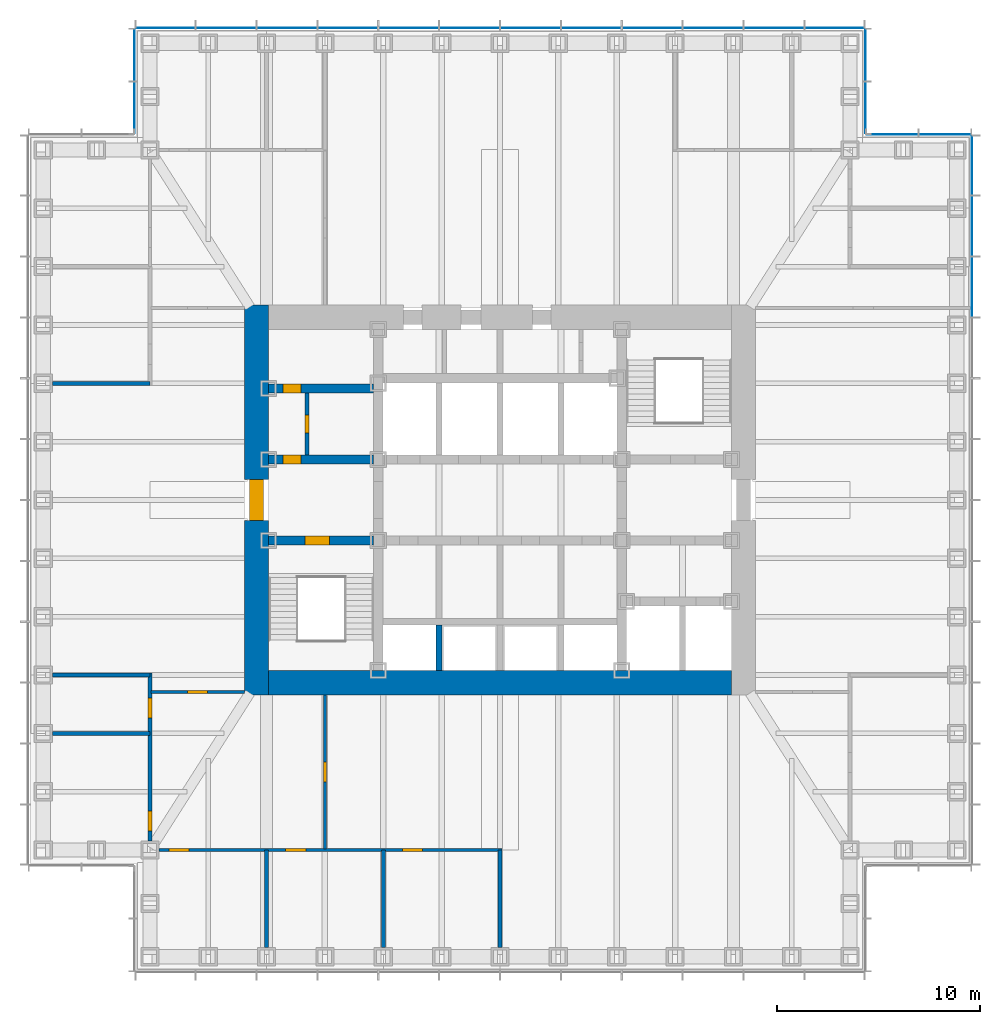
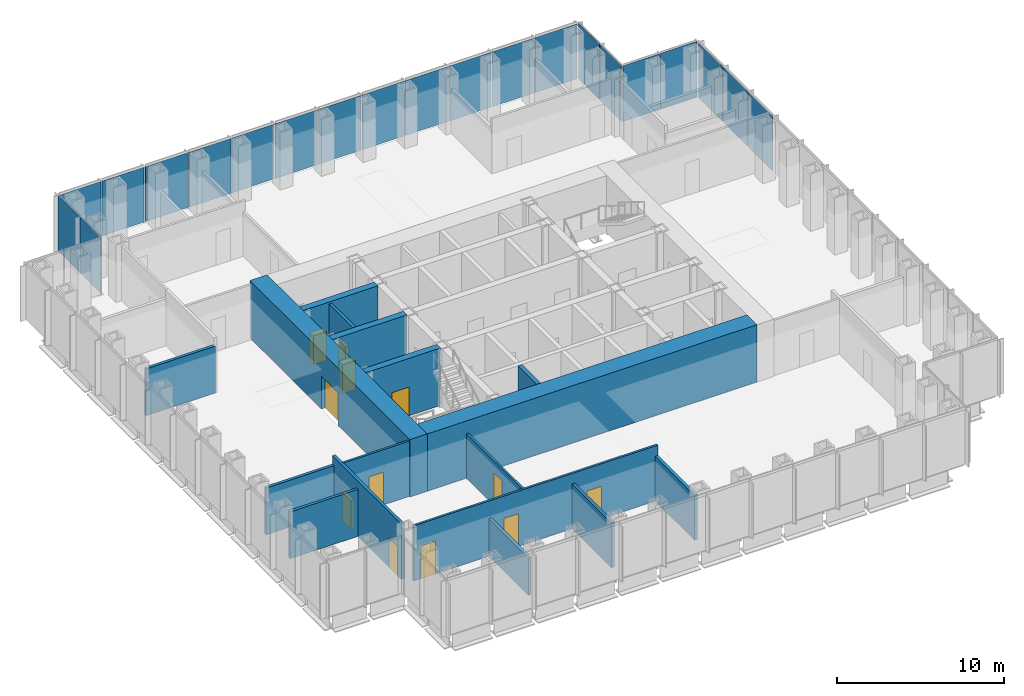
# One storey, part 8 of 16: 21 plates, 17 walls, 12 doors, 12 openings, 5 elements without a shape of their own.
"""IFC4 building model written with IfcOpenShell, lengths in metres."""

from ifc_helpers import new_model, si_unit, direction, frame, frame_2d, origin, origin_2d, place, context, subcontext, project, spatial, rectangle, extrude, material, layer, layer_set, type_object, element, fill, aggregate, save


model = new_model("IFC4")

# Units and contexts
model_context = context("Model", 3, precision=1e-05, world=origin(), true_north=direction((0.0, 1.0)))
body_context = subcontext(model_context, "Body", "Model", "MODEL_VIEW")
ifc_project = project(units=[si_unit("LENGTHUNIT", "METRE"), si_unit("AREAUNIT", "SQUARE_METRE"), si_unit("VOLUMEUNIT", "CUBIC_METRE"), si_unit("PLANEANGLEUNIT", "RADIAN"), si_unit("MASSUNIT", "GRAM", prefix="KILO")], contexts=[model_context])

# Site, building, storey
site_placement = place(None, origin())
site = spatial("IfcSite", under=ifc_project, at=site_placement, CompositionType="ELEMENT")
building_placement = place(site_placement, origin())
building = spatial("IfcBuilding", under=site, at=building_placement, Name="Daluyong Arena Tower", CompositionType="ELEMENT")
storey_placement = place(building_placement, frame((0.0, 0.0, 162.699951171875)))
storey = spatial("IfcBuildingStorey", under=building, at=storey_placement, Name="L36", CompositionType="ELEMENT", Elevation=162.699951171875)

# Curtain wall, plates
ifc_material_1 = material(Name="Bronze anodised aluminium and glass", Category="aluminium")
curtain_wall_type_1 = type_object("IfcCurtainWallType", Name="Curtain wall CW2", PredefinedType="USERDEFINED", material=ifc_material_1)
curtain_wall_1_placement = place(storey_placement, origin())
curtain_wall_1 = element("IfcCurtainWall", 1, at=curtain_wall_1_placement, inside=storey, type_object=curtain_wall_type_1, Name="curtain wall L36 E", ObjectType="UNITISED CURTAIN WALL", PredefinedType="USERDEFINED")
ifc_material_2 = material(Name="Tinted double glazed unit", Category="glass")
ifc_layer_1 = layer(ifc_material_2, 0.031982421875)
ifc_layer_set_1 = layer_set([ifc_layer_1], Name="Tinted double glazed unit")
plate_type_1 = type_object("IfcPlateType", Name="CW2 panel 32", PredefinedType="CURTAIN_PANEL", material=ifc_layer_set_1)
plate_1_placement = place(storey_placement, frame((79.25, 90.5, 0.0), z_axis=(0.0, 0.0, 1.0), x_axis=(0.0, 1.0, 0.0)))
plate_1 = element("IfcPlate", 2, at=plate_1_placement, type_object=plate_type_1, Name="curtain wall L36 E panel 10", PredefinedType="CURTAIN_PANEL", context=body_context, shape_type="SweptSolid", body=[
    extrude(rectangle(XDim=2.919921875, YDim=0.031982421875, at=origin_2d()), origin(), (0.0, 0.0, 1.0), 4.02001953125),
])
plate_2_placement = place(storey_placement, frame((79.25, 93.5, 0.0), z_axis=(0.0, 0.0, 1.0), x_axis=(0.0, 1.0, 0.0)))
plate_2 = element("IfcPlate", 3, at=plate_2_placement, type_object=plate_type_1, Name="curtain wall L36 E panel 11", PredefinedType="CURTAIN_PANEL", context=body_context, shape_type="SweptSolid", body=[
    extrude(rectangle(XDim=2.919921875, YDim=0.031982421875, at=origin_2d()), origin(), (0.0, 0.0, 1.0), 4.02001953125),
])
plate_3_placement = place(storey_placement, frame((79.25, 96.47998046875, 0.0), z_axis=(0.0, 0.0, 1.0), x_axis=(0.0, 1.0, 0.0)))
plate_3 = element("IfcPlate", 4, at=plate_3_placement, type_object=plate_type_1, Name="curtain wall L36 E panel 12", PredefinedType="CURTAIN_PANEL", context=body_context, shape_type="SweptSolid", body=[
    extrude(rectangle(XDim=2.8798828125, YDim=0.031982421875, at=origin_2d()), origin(), (0.0, 0.0, 1.0), 4.02001953125),
])
aggregate(curtain_wall_1, [plate_1, plate_2, plate_3])

curtain_wall_2_placement = place(storey_placement, origin())
curtain_wall_2 = element("IfcCurtainWall", 5, at=curtain_wall_2_placement, inside=storey, type_object=curtain_wall_type_1, Name="curtain wall L36 N", ObjectType="UNITISED CURTAIN WALL", PredefinedType="USERDEFINED")
plate_4_placement = place(storey_placement, frame((72.47998046875, 103.25, 0.0), z_axis=(0.0, 0.0, 1.0), x_axis=(-1.0, 0.0, 0.0)))
plate_4 = element("IfcPlate", 6, at=plate_4_placement, type_object=plate_type_1, Name="curtain wall L36 N panel 1", PredefinedType="CURTAIN_PANEL", context=body_context, shape_type="SweptSolid", body=[
    extrude(rectangle(XDim=2.8798828125, YDim=0.031982421875, at=origin_2d()), origin(), (0.0, 0.0, 1.0), 4.02001953125),
])
plate_5_placement = place(storey_placement, frame((69.5, 103.25, 0.0), z_axis=(0.0, 0.0, 1.0), x_axis=(-1.0, 0.0, 0.0)))
plate_5 = element("IfcPlate", 7, at=plate_5_placement, type_object=plate_type_1, Name="curtain wall L36 N panel 2", PredefinedType="CURTAIN_PANEL", context=body_context, shape_type="SweptSolid", body=[
    extrude(rectangle(XDim=2.919921875, YDim=0.031982421875, at=origin_2d()), origin(), (0.0, 0.0, 1.0), 4.02001953125),
])
plate_6_placement = place(storey_placement, frame((66.5, 103.25, 0.0), z_axis=(0.0, 0.0, 1.0), x_axis=(-1.0, 0.0, 0.0)))
plate_6 = element("IfcPlate", 8, at=plate_6_placement, type_object=plate_type_1, Name="curtain wall L36 N panel 3", PredefinedType="CURTAIN_PANEL", context=body_context, shape_type="SweptSolid", body=[
    extrude(rectangle(XDim=2.919921875, YDim=0.031982421875, at=origin_2d()), origin(), (0.0, 0.0, 1.0), 4.02001953125),
])
plate_7_placement = place(storey_placement, frame((63.5, 103.25, 0.0), z_axis=(0.0, 0.0, 1.0), x_axis=(-1.0, 0.0, 0.0)))
plate_7 = element("IfcPlate", 9, at=plate_7_placement, type_object=plate_type_1, Name="curtain wall L36 N panel 4", PredefinedType="CURTAIN_PANEL", context=body_context, shape_type="SweptSolid", body=[
    extrude(rectangle(XDim=2.919921875, YDim=0.031982421875, at=origin_2d()), origin(), (0.0, 0.0, 1.0), 4.02001953125),
])
plate_8_placement = place(storey_placement, frame((60.5, 103.25, 0.0), z_axis=(0.0, 0.0, 1.0), x_axis=(-1.0, 0.0, 0.0)))
plate_8 = element("IfcPlate", 10, at=plate_8_placement, type_object=plate_type_1, Name="curtain wall L36 N panel 5", PredefinedType="CURTAIN_PANEL", context=body_context, shape_type="SweptSolid", body=[
    extrude(rectangle(XDim=2.919921875, YDim=0.031982421875, at=origin_2d()), origin(), (0.0, 0.0, 1.0), 4.02001953125),
])
plate_9_placement = place(storey_placement, frame((57.5, 103.25, 0.0), z_axis=(0.0, 0.0, 1.0), x_axis=(-1.0, 0.0, 0.0)))
plate_9 = element("IfcPlate", 11, at=plate_9_placement, type_object=plate_type_1, Name="curtain wall L36 N panel 6", PredefinedType="CURTAIN_PANEL", context=body_context, shape_type="SweptSolid", body=[
    extrude(rectangle(XDim=2.919921875, YDim=0.031982421875, at=origin_2d()), origin(), (0.0, 0.0, 1.0), 4.02001953125),
])
plate_10_placement = place(storey_placement, frame((54.5, 103.25, 0.0), z_axis=(0.0, 0.0, 1.0), x_axis=(-1.0, 0.0, 0.0)))
plate_10 = element("IfcPlate", 12, at=plate_10_placement, type_object=plate_type_1, Name="curtain wall L36 N panel 7", PredefinedType="CURTAIN_PANEL", context=body_context, shape_type="SweptSolid", body=[
    extrude(rectangle(XDim=2.919921875, YDim=0.031982421875, at=origin_2d()), origin(), (0.0, 0.0, 1.0), 4.02001953125),
])
plate_11_placement = place(storey_placement, frame((51.5, 103.25, 0.0), z_axis=(0.0, 0.0, 1.0), x_axis=(-1.0, 0.0, 0.0)))
plate_11 = element("IfcPlate", 13, at=plate_11_placement, type_object=plate_type_1, Name="curtain wall L36 N panel 8", PredefinedType="CURTAIN_PANEL", context=body_context, shape_type="SweptSolid", body=[
    extrude(rectangle(XDim=2.919921875, YDim=0.031982421875, at=origin_2d()), origin(), (0.0, 0.0, 1.0), 4.02001953125),
])
plate_12_placement = place(storey_placement, frame((48.5, 103.25, 0.0), z_axis=(0.0, 0.0, 1.0), x_axis=(-1.0, 0.0, 0.0)))
plate_12 = element("IfcPlate", 14, at=plate_12_placement, type_object=plate_type_1, Name="curtain wall L36 N panel 9", PredefinedType="CURTAIN_PANEL", context=body_context, shape_type="SweptSolid", body=[
    extrude(rectangle(XDim=2.919921875, YDim=0.031982421875, at=origin_2d()), origin(), (0.0, 0.0, 1.0), 4.02001953125),
])
plate_13_placement = place(storey_placement, frame((45.5, 103.25, 0.0), z_axis=(0.0, 0.0, 1.0), x_axis=(-1.0, 0.0, 0.0)))
plate_13 = element("IfcPlate", 15, at=plate_13_placement, type_object=plate_type_1, Name="curtain wall L36 N panel 10", PredefinedType="CURTAIN_PANEL", context=body_context, shape_type="SweptSolid", body=[
    extrude(rectangle(XDim=2.919921875, YDim=0.031982421875, at=origin_2d()), origin(), (0.0, 0.0, 1.0), 4.02001953125),
])
plate_14_placement = place(storey_placement, frame((42.5, 103.25, 0.0), z_axis=(0.0, 0.0, 1.0), x_axis=(-1.0, 0.0, 0.0)))
plate_14 = element("IfcPlate", 16, at=plate_14_placement, type_object=plate_type_1, Name="curtain wall L36 N panel 11", PredefinedType="CURTAIN_PANEL", context=body_context, shape_type="SweptSolid", body=[
    extrude(rectangle(XDim=2.919921875, YDim=0.031982421875, at=origin_2d()), origin(), (0.0, 0.0, 1.0), 4.02001953125),
])
plate_15_placement = place(storey_placement, frame((39.52001953125, 103.25, 0.0), z_axis=(0.0, 0.0, 1.0), x_axis=(-1.0, 0.0, 0.0)))
plate_15 = element("IfcPlate", 17, at=plate_15_placement, type_object=plate_type_1, Name="curtain wall L36 N panel 12", PredefinedType="CURTAIN_PANEL", context=body_context, shape_type="SweptSolid", body=[
    extrude(rectangle(XDim=2.8798828125, YDim=0.031982421875, at=origin_2d()), origin(), (0.0, 0.0, 1.0), 4.02001953125),
])
aggregate(curtain_wall_2, [plate_4, plate_5, plate_6, plate_7, plate_8, plate_9, plate_10, plate_11, plate_12, plate_13, plate_14, plate_15])

ifc_material_3 = material(Name="Bronze anodised aluminium and glass", Category="aluminium")
curtain_wall_type_2 = type_object("IfcCurtainWallType", Name="Curtain wall CW7", PredefinedType="USERDEFINED", material=ifc_material_3)
curtain_wall_3_placement = place(storey_placement, origin())
curtain_wall_3 = element("IfcCurtainWall", 18, at=curtain_wall_3_placement, inside=storey, type_object=curtain_wall_type_2, Name="curtain wall L36 NE-N", ObjectType="UNITISED CURTAIN WALL", PredefinedType="USERDEFINED")
ifc_material_4 = material(Name="Tinted double glazed unit", Category="glass")
ifc_layer_2 = layer(ifc_material_4, 0.028076171875)
ifc_layer_set_2 = layer_set([ifc_layer_2], Name="Tinted double glazed unit")
plate_type_2 = type_object("IfcPlateType", Name="CW7 panel 28", PredefinedType="CURTAIN_PANEL", material=ifc_layer_set_2)
plate_16_placement = place(storey_placement, frame((77.922607421875, 98.0, 0.0), z_axis=(0.0, 0.0, 1.0), x_axis=(-1.0, 0.0, 0.0)))
plate_16 = element("IfcPlate", 19, at=plate_16_placement, type_object=plate_type_2, Name="curtain wall L36 NE-N panel 1", PredefinedType="CURTAIN_PANEL", context=body_context, shape_type="SweptSolid", body=[
    extrude(rectangle(XDim=2.534912109375, YDim=0.028076171875, at=origin_2d()), origin(), (0.0, 0.0, 1.0), 4.080078125),
])
plate_17_placement = place(storey_placement, frame((75.327392578125, 98.0, 0.0), z_axis=(0.0, 0.0, 1.0), x_axis=(-1.0, 0.0, 0.0)))
plate_17 = element("IfcPlate", 20, at=plate_17_placement, type_object=plate_type_2, Name="curtain wall L36 NE-N panel 2", PredefinedType="CURTAIN_PANEL", context=body_context, shape_type="SweptSolid", body=[
    extrude(rectangle(XDim=2.534912109375, YDim=0.028076171875, at=origin_2d()), origin(), (0.0, 0.0, 1.0), 4.080078125),
])
aggregate(curtain_wall_3, [plate_16, plate_17])

curtain_wall_4_placement = place(storey_placement, origin())
curtain_wall_4 = element("IfcCurtainWall", 21, at=curtain_wall_4_placement, inside=storey, type_object=curtain_wall_type_2, Name="curtain wall L36 NE-E", ObjectType="UNITISED CURTAIN WALL", PredefinedType="USERDEFINED")
plate_18_placement = place(storey_placement, frame((74.0, 99.327392578125, 0.0), z_axis=(0.0, 0.0, 1.0), x_axis=(0.0, 1.0, 0.0)))
plate_18 = element("IfcPlate", 22, at=plate_18_placement, type_object=plate_type_2, Name="curtain wall L36 NE-E panel 1", PredefinedType="CURTAIN_PANEL", context=body_context, shape_type="SweptSolid", body=[
    extrude(rectangle(XDim=2.534912109375, YDim=0.028076171875, at=origin_2d()), origin(), (0.0, 0.0, 1.0), 4.080078125),
])
plate_19_placement = place(storey_placement, frame((74.0, 101.922607421875, 0.0), z_axis=(0.0, 0.0, 1.0), x_axis=(0.0, 1.0, 0.0)))
plate_19 = element("IfcPlate", 23, at=plate_19_placement, type_object=plate_type_2, Name="curtain wall L36 NE-E panel 2", PredefinedType="CURTAIN_PANEL", context=body_context, shape_type="SweptSolid", body=[
    extrude(rectangle(XDim=2.534912109375, YDim=0.028076171875, at=origin_2d()), origin(), (0.0, 0.0, 1.0), 4.080078125),
])
aggregate(curtain_wall_4, [plate_18, plate_19])

curtain_wall_5_placement = place(storey_placement, origin())
curtain_wall_5 = element("IfcCurtainWall", 24, at=curtain_wall_5_placement, inside=storey, type_object=curtain_wall_type_2, Name="curtain wall L36 NW-W", ObjectType="UNITISED CURTAIN WALL", PredefinedType="USERDEFINED")
plate_20_placement = place(storey_placement, frame((38.0, 101.922607421875, 0.0), z_axis=(0.0, 0.0, 1.0), x_axis=(0.0, -1.0, 0.0)))
plate_20 = element("IfcPlate", 25, at=plate_20_placement, type_object=plate_type_2, Name="curtain wall L36 NW-W panel 1", PredefinedType="CURTAIN_PANEL", context=body_context, shape_type="SweptSolid", body=[
    extrude(rectangle(XDim=2.534912109375, YDim=0.028076171875, at=origin_2d()), origin(), (0.0, 0.0, 1.0), 4.080078125),
])
plate_21_placement = place(storey_placement, frame((38.0, 99.327392578125, 0.0), z_axis=(0.0, 0.0, 1.0), x_axis=(0.0, -1.0, 0.0)))
plate_21 = element("IfcPlate", 26, at=plate_21_placement, type_object=plate_type_2, Name="curtain wall L36 NW-W panel 2", PredefinedType="CURTAIN_PANEL", context=body_context, shape_type="SweptSolid", body=[
    extrude(rectangle(XDim=2.534912109375, YDim=0.028076171875, at=origin_2d()), origin(), (0.0, 0.0, 1.0), 4.080078125),
])
aggregate(curtain_wall_5, [plate_20, plate_21])

# Wall, opening, door
ifc_material_5 = material(Name="Concrete fc' 45 MPa", Category="concrete")
ifc_layer_3 = layer(ifc_material_5, 0.449951171875)
ifc_layer_set_3 = layer_set([ifc_layer_3], Name="Concrete fc' 45 MPa")
wall_type_1 = type_object("IfcWallType", Name="Core inner wall 450", PredefinedType="SHEAR", material=ifc_layer_set_3)
wall_1_placement = place(storey_placement, frame((44.60009765625, 78.0, 0.0), z_axis=(0.0, 0.0, 1.0), x_axis=(1.0, 0.0, 0.0)))
wall_1 = element("IfcWall", 27, at=wall_1_placement, inside=storey, type_object=wall_type_1, Name="core inner wall at L36", PredefinedType="SHEAR", context=body_context, shape_type="SweptSolid", body=[
    extrude(rectangle(XDim=5.1748046875, YDim=0.449951171875, at=frame_2d((2.58740234375, 0.0))), origin(), (0.0, 0.0, 1.0), 4.199951171875),
])
opening_1_placement = place(wall_1_placement, frame((1.800048828125, 0.0, 0.0)))
opening_1 = element("IfcOpeningElement", 28, at=opening_1_placement, cuts=wall_1, Name="Opening 36012", PredefinedType="OPENING", context=body_context, shape_type="SweptSolid", body=[
    extrude(rectangle(XDim=1.199951171875, YDim=2.10009765625, at=frame_2d((0.60009765625, 1.050048828125))), frame((0.0, 0.23486328125, 0.0), z_axis=(0.0, -1.0, 0.0), x_axis=(1.0, 0.0, 0.0)), (0.0, 0.0, 1.0), 0.469970703125),
])
ifc_material_6 = material(Name="Steel door, fire rated", Category="steel")
door_type_1 = type_object("IfcDoorType", Name="Stair door 1200", OperationType="SINGLE_SWING_LEFT", PredefinedType="DOOR", material=ifc_material_6)
door_1_placement = place(opening_1_placement, origin())
door_1 = element("IfcDoor", 29, at=door_1_placement, inside=storey, type_object=door_type_1, Name="stair A door 36012", OperationType="SINGLE_SWING_LEFT", OverallHeight=2.10009765625, OverallWidth=1.199951171875, PredefinedType="DOOR", context=body_context, shape_type="SweptSolid", body=[
    extrude(rectangle(XDim=1.199951171875, YDim=2.10009765625, at=frame_2d((0.60009765625, 1.050048828125))), frame((0.0, 0.224609375, 0.0), z_axis=(0.0, -1.0, 0.0), x_axis=(1.0, 0.0, 0.0)), (0.0, 0.0, 1.0), 0.449462890625),
])
fill(opening_1, door_1)

wall_2_placement = place(storey_placement, frame((44.60009765625, 82.0, 0.0), z_axis=(0.0, 0.0, 1.0), x_axis=(1.0, 0.0, 0.0)))
wall_2 = element("IfcWall", 30, at=wall_2_placement, inside=storey, type_object=wall_type_1, Name="core inner wall at L36", PredefinedType="SHEAR", context=body_context, shape_type="SweptSolid", body=[
    extrude(rectangle(XDim=5.1748046875, YDim=0.449951171875, at=frame_2d((2.58740234375, 0.0))), origin(), (0.0, 0.0, 1.0), 4.199951171875),
])
opening_2_placement = place(wall_2_placement, frame((0.699951171875, 0.0, 0.0)))
opening_2 = element("IfcOpeningElement", 31, at=opening_2_placement, cuts=wall_2, Name="Opening 36001", PredefinedType="OPENING", context=body_context, shape_type="SweptSolid", body=[
    extrude(rectangle(XDim=0.89990234375, YDim=2.10009765625, at=frame_2d((0.449951171875, 1.050048828125))), frame((0.0, 0.23486328125, 0.0), z_axis=(0.0, -1.0, 0.0), x_axis=(1.0, 0.0, 0.0)), (0.0, 0.0, 1.0), 0.469970703125),
])
ifc_material_7 = material(Name="Steel door, fire rated", Category="steel")
door_type_2 = type_object("IfcDoorType", Name="Core room door 900", OperationType="SINGLE_SWING_LEFT", PredefinedType="DOOR", material=ifc_material_7)
door_2_placement = place(opening_2_placement, origin())
door_2 = element("IfcDoor", 32, at=door_2_placement, inside=storey, type_object=door_type_2, Name="toilet lobby door 36001", OperationType="SINGLE_SWING_LEFT", OverallHeight=2.10009765625, OverallWidth=0.89990234375, PredefinedType="DOOR", context=body_context, shape_type="SweptSolid", body=[
    extrude(rectangle(XDim=0.89990234375, YDim=2.10009765625, at=frame_2d((0.449951171875, 1.050048828125))), frame((0.0, 0.224609375, 0.0), z_axis=(0.0, -1.0, 0.0), x_axis=(1.0, 0.0, 0.0)), (0.0, 0.0, 1.0), 0.449462890625),
])
fill(opening_2, door_2)

wall_3_placement = place(storey_placement, frame((44.60009765625, 85.5, 0.0), z_axis=(0.0, 0.0, 1.0), x_axis=(1.0, 0.0, 0.0)))
wall_3 = element("IfcWall", 33, at=wall_3_placement, inside=storey, type_object=wall_type_1, Name="core inner wall at L36", PredefinedType="SHEAR", context=body_context, shape_type="SweptSolid", body=[
    extrude(rectangle(XDim=5.1748046875, YDim=0.449951171875, at=frame_2d((2.58740234375, 0.0))), origin(), (0.0, 0.0, 1.0), 4.199951171875),
])
opening_3_placement = place(wall_3_placement, frame((0.699951171875, 0.0, 0.0)))
opening_3 = element("IfcOpeningElement", 34, at=opening_3_placement, cuts=wall_3, Name="Opening 36003", PredefinedType="OPENING", context=body_context, shape_type="SweptSolid", body=[
    extrude(rectangle(XDim=0.89990234375, YDim=2.10009765625, at=frame_2d((0.449951171875, 1.050048828125))), frame((0.0, 0.23486328125, 0.0), z_axis=(0.0, -1.0, 0.0), x_axis=(1.0, 0.0, 0.0)), (0.0, 0.0, 1.0), 0.469970703125),
])
ifc_material_8 = material(Name="Timber door", Category="wood")
door_type_3 = type_object("IfcDoorType", Name="Toilet door 900", OperationType="SINGLE_SWING_RIGHT", PredefinedType="DOOR", material=ifc_material_8)
door_3_placement = place(opening_3_placement, origin())
door_3 = element("IfcDoor", 35, at=door_3_placement, inside=storey, type_object=door_type_3, Name="female toilet door 36003", OperationType="SINGLE_SWING_RIGHT", OverallHeight=2.10009765625, OverallWidth=0.89990234375, PredefinedType="DOOR", context=body_context, shape_type="SweptSolid", body=[
    extrude(rectangle(XDim=0.89990234375, YDim=2.10009765625, at=frame_2d((0.449951171875, 1.050048828125))), frame((0.0, 0.224609375, 0.0), z_axis=(0.0, -1.0, 0.0), x_axis=(1.0, 0.0, 0.0)), (0.0, 0.0, 1.0), 0.449462890625),
])
fill(opening_3, door_3)

ifc_material_9 = material(Name="Concrete fc' 60 MPa", Category="concrete")
ifc_layer_4 = layer(ifc_material_9, 1.199951171875)
ifc_layer_set_4 = layer_set([ifc_layer_4], Name="Concrete fc' 60 MPa")
wall_type_2 = type_object("IfcWallType", Name="Core wall 1200", PredefinedType="SHEAR", material=ifc_layer_set_4)
wall_4_placement = place(storey_placement, frame((44.0, 70.39990234375, 0.0), z_axis=(0.0, 0.0, 1.0), x_axis=(0.0, 1.0, 0.0)))
wall_4 = element("IfcWall", 36, at=wall_4_placement, inside=storey, type_object=wall_type_2, Name="core wall at L36", PredefinedType="SHEAR", context=body_context, shape_type="SweptSolid", body=[
    extrude(rectangle(XDim=19.2001953125, YDim=1.199951171875, at=frame_2d((9.60009765625, 0.0))), origin(), (0.0, 0.0, 1.0), 4.199951171875),
])
opening_4_placement = place(wall_4_placement, frame((8.60009765625, 0.0, 0.0)))
opening_4 = element("IfcOpeningElement", 37, at=opening_4_placement, cuts=wall_4, Name="Opening 36014", PredefinedType="OPENING", context=body_context, shape_type="SweptSolid", body=[
    extrude(rectangle(XDim=2.0, YDim=2.39990234375, at=frame_2d((1.0, 1.199951171875))), frame((0.0, 0.60986328125, 0.0), z_axis=(0.0, -1.0, 0.0), x_axis=(1.0, 0.0, 0.0)), (0.0, 0.0, 1.0), 1.219970703125),
])
ifc_material_10 = material(Name="Steel door, fire rated", Category="steel")
door_type_4 = type_object("IfcDoorType", Name="Core lobby double door 2000", OperationType="DOUBLE_DOOR_SINGLE_SWING", PredefinedType="DOOR", material=ifc_material_10)
door_4_placement = place(opening_4_placement, origin())
door_4 = element("IfcDoor", 38, at=door_4_placement, inside=storey, type_object=door_type_4, Name="core lobby door west 36014", OperationType="DOUBLE_DOOR_SINGLE_SWING", OverallHeight=2.39990234375, OverallWidth=2.0, PredefinedType="DOOR", context=body_context, shape_type="SweptSolid", body=[
    extrude(rectangle(XDim=2.0, YDim=2.39990234375, at=frame_2d((1.0, 1.199951171875))), frame((0.0, 0.35009765625, 0.0), z_axis=(0.0, -1.0, 0.0), x_axis=(1.0, 0.0, 0.0)), (0.0, 0.0, 1.0), 0.699951171875),
])
fill(opening_4, door_4)

# Wall
wall_5_placement = place(storey_placement, frame((44.60009765625, 71.0, 0.0), z_axis=(0.0, 0.0, 1.0), x_axis=(1.0, 0.0, 0.0)))
element("IfcWall", 39, at=wall_5_placement, inside=storey, type_object=wall_type_2, Name="core wall at L36", PredefinedType="SHEAR", context=body_context, shape_type="SweptSolid", body=[
    extrude(rectangle(XDim=22.7998046875, YDim=1.199951171875, at=frame_2d((11.39990234375, 0.0))), origin(), (0.0, 0.0, 1.0), 4.199951171875),
])

# Wall, opening, door
ifc_material_11 = material(Name="Concrete block partition, fire rated", Category="concrete")
ifc_layer_5 = layer(ifc_material_11, 0.199951171875)
ifc_layer_set_5 = layer_set([ifc_layer_5], Name="Concrete block partition, fire rated")
wall_type_3 = type_object("IfcWallType", Name="Fire-rated partition 200", PredefinedType="PARTITIONING", material=ifc_layer_set_5)
wall_6_placement = place(storey_placement, frame((46.5, 82.22509765625, 0.0), z_axis=(0.0, 0.0, 1.0), x_axis=(0.0, 1.0, 0.0)))
wall_6 = element("IfcWall", 40, at=wall_6_placement, inside=storey, type_object=wall_type_3, Name="toilet lobby partition at L36", PredefinedType="PARTITIONING", context=body_context, shape_type="SweptSolid", body=[
    extrude(rectangle(XDim=3.0498046875, YDim=0.199951171875, at=frame_2d((1.52490234375, 0.0))), origin(), (0.0, 0.0, 1.0), 4.0400390625),
])
opening_5_placement = place(wall_6_placement, frame((1.074951171875, 0.0, 0.0)))
opening_5 = element("IfcOpeningElement", 41, at=opening_5_placement, cuts=wall_6, Name="Opening 36002", PredefinedType="OPENING", context=body_context, shape_type="SweptSolid", body=[
    extrude(rectangle(XDim=0.89990234375, YDim=2.10009765625, at=frame_2d((0.449951171875, 1.050048828125))), frame((0.0, 0.10986328125, 0.0), z_axis=(0.0, -1.0, 0.0), x_axis=(1.0, 0.0, 0.0)), (0.0, 0.0, 1.0), 0.219970703125),
])
door_5_placement = place(opening_5_placement, origin())
door_5 = element("IfcDoor", 42, at=door_5_placement, inside=storey, type_object=door_type_3, Name="male toilet door 36002", OperationType="SINGLE_SWING_RIGHT", OverallHeight=2.10009765625, OverallWidth=0.89990234375, PredefinedType="DOOR", context=body_context, shape_type="SweptSolid", body=[
    extrude(rectangle(XDim=0.89990234375, YDim=2.10009765625, at=frame_2d((0.449951171875, 1.050048828125))), frame((0.0, 0.099609375, 0.0), z_axis=(0.0, -1.0, 0.0), x_axis=(1.0, 0.0, 0.0)), (0.0, 0.0, 1.0), 0.199462890625),
])
fill(opening_5, door_5)

# Wall, openings, doors
ifc_material_12 = material(Name="Glazed aluminium partition", Category="aluminium")
ifc_layer_6 = layer(ifc_material_12, 0.14990234375)
ifc_layer_set_6 = layer_set([ifc_layer_6], Name="Glazed aluminium partition")
wall_type_4 = type_object("IfcWallType", Name="Glazed partition 150", PredefinedType="PARTITIONING", material=ifc_layer_set_6)
wall_7_placement = place(storey_placement, frame((39.199951171875, 62.75, 0.0), z_axis=(0.0, 0.0, 1.0), x_axis=(1.0, 0.0, 0.0)))
wall_7 = element("IfcWall", 43, at=wall_7_placement, inside=storey, type_object=wall_type_4, Name="glazed partition at L36", PredefinedType="PARTITIONING", context=body_context, shape_type="SweptSolid", body=[
    extrude(rectangle(XDim=16.900146484375, YDim=0.14990234375, at=frame_2d((8.4501953125, 0.0))), origin(), (0.0, 0.0, 1.0), 4.0400390625),
])
opening_6_placement = place(wall_7_placement, frame((0.487548828125, 0.0, 0.0)))
opening_6 = element("IfcOpeningElement", 44, at=opening_6_placement, cuts=wall_7, Name="Opening 36025", PredefinedType="OPENING", context=body_context, shape_type="SweptSolid", body=[
    extrude(rectangle(XDim=1.0, YDim=2.39990234375, at=frame_2d((0.5, 1.199951171875))), frame((0.0, 0.0849609375, 0.0), z_axis=(0.0, -1.0, 0.0), x_axis=(1.0, 0.0, 0.0)), (0.0, 0.0, 1.0), 0.169921875),
])
opening_7_placement = place(wall_7_placement, frame((6.237548828125, 0.0, 0.0)))
opening_7 = element("IfcOpeningElement", 45, at=opening_7_placement, cuts=wall_7, Name="Opening 36026", PredefinedType="OPENING", context=body_context, shape_type="SweptSolid", body=[
    extrude(rectangle(XDim=1.0, YDim=2.39990234375, at=frame_2d((0.5, 1.199951171875))), frame((0.0, 0.0849609375, 0.0), z_axis=(0.0, -1.0, 0.0), x_axis=(1.0, 0.0, 0.0)), (0.0, 0.0, 1.0), 0.169921875),
])
opening_8_placement = place(wall_7_placement, frame((11.987548828125, 0.0, 0.0)))
opening_8 = element("IfcOpeningElement", 46, at=opening_8_placement, cuts=wall_7, Name="Opening 36027", PredefinedType="OPENING", context=body_context, shape_type="SweptSolid", body=[
    extrude(rectangle(XDim=1.0, YDim=2.39990234375, at=frame_2d((0.5, 1.199951171875))), frame((0.0, 0.0849609375, 0.0), z_axis=(0.0, -1.0, 0.0), x_axis=(1.0, 0.0, 0.0)), (0.0, 0.0, 1.0), 0.169921875),
])
ifc_material_13 = material(Name="Glazed aluminium door", Category="aluminium")
door_type_5 = type_object("IfcDoorType", Name="Meeting room glazed door 1000", OperationType="SINGLE_SWING_RIGHT", PredefinedType="DOOR", material=ifc_material_13)
door_6_placement = place(opening_6_placement, origin())
door_6 = element("IfcDoor", 47, at=door_6_placement, inside=storey, type_object=door_type_5, Name="meeting room door 36025", OperationType="SINGLE_SWING_RIGHT", OverallHeight=2.39990234375, OverallWidth=1.0, PredefinedType="DOOR", context=body_context, shape_type="SweptSolid", body=[
    extrude(rectangle(XDim=1.0, YDim=2.39990234375, at=frame_2d((0.5, 1.199951171875))), frame((0.0, 0.07470703125, 0.0), z_axis=(0.0, -1.0, 0.0), x_axis=(1.0, 0.0, 0.0)), (0.0, 0.0, 1.0), 0.1494140625),
])
fill(opening_6, door_6)
door_7_placement = place(opening_7_placement, origin())
door_7 = element("IfcDoor", 48, at=door_7_placement, inside=storey, type_object=door_type_5, Name="meeting room door 36026", OperationType="SINGLE_SWING_RIGHT", OverallHeight=2.39990234375, OverallWidth=1.0, PredefinedType="DOOR", context=body_context, shape_type="SweptSolid", body=[
    extrude(rectangle(XDim=1.0, YDim=2.39990234375, at=frame_2d((0.5, 1.199951171875))), frame((0.0, 0.07470703125, 0.0), z_axis=(0.0, -1.0, 0.0), x_axis=(1.0, 0.0, 0.0)), (0.0, 0.0, 1.0), 0.1494140625),
])
fill(opening_7, door_7)
door_8_placement = place(opening_8_placement, origin())
door_8 = element("IfcDoor", 49, at=door_8_placement, inside=storey, type_object=door_type_5, Name="meeting room door 36027", OperationType="SINGLE_SWING_RIGHT", OverallHeight=2.39990234375, OverallWidth=1.0, PredefinedType="DOOR", context=body_context, shape_type="SweptSolid", body=[
    extrude(rectangle(XDim=1.0, YDim=2.39990234375, at=frame_2d((0.5, 1.199951171875))), frame((0.0, 0.07470703125, 0.0), z_axis=(0.0, -1.0, 0.0), x_axis=(1.0, 0.0, 0.0)), (0.0, 0.0, 1.0), 0.1494140625),
])
fill(opening_8, door_8)

# Wall, opening, door
wall_8_placement = place(storey_placement, frame((38.800048828125, 70.550048828125, 0.0), z_axis=(0.0, 0.0, 1.0), x_axis=(1.0, 0.0, 0.0)))
wall_8 = element("IfcWall", 50, at=wall_8_placement, inside=storey, type_object=wall_type_4, Name="glazed partition at L36", PredefinedType="PARTITIONING", context=body_context, shape_type="SweptSolid", body=[
    extrude(rectangle(XDim=4.599853515625, YDim=0.14990234375, at=frame_2d((2.2998046875, 0.0))), origin(), (0.0, 0.0, 1.0), 4.0400390625),
])
opening_9_placement = place(wall_8_placement, frame((1.800048828125, 0.0, 0.0)))
opening_9 = element("IfcOpeningElement", 51, at=opening_9_placement, cuts=wall_8, Name="Opening 36039", PredefinedType="OPENING", context=body_context, shape_type="SweptSolid", body=[
    extrude(rectangle(XDim=1.0, YDim=2.39990234375, at=frame_2d((0.5, 1.199951171875))), frame((0.0, 0.0849609375, 0.0), z_axis=(0.0, -1.0, 0.0), x_axis=(1.0, 0.0, 0.0)), (0.0, 0.0, 1.0), 0.169921875),
])
door_9_placement = place(opening_9_placement, origin())
door_9 = element("IfcDoor", 52, at=door_9_placement, inside=storey, type_object=door_type_5, Name="team area screen door 36039", OperationType="SINGLE_SWING_RIGHT", OverallHeight=2.39990234375, OverallWidth=1.0, PredefinedType="DOOR", context=body_context, shape_type="SweptSolid", body=[
    extrude(rectangle(XDim=1.0, YDim=2.39990234375, at=frame_2d((0.5, 1.199951171875))), frame((0.0, 0.07470703125, 0.0), z_axis=(0.0, -1.0, 0.0), x_axis=(1.0, 0.0, 0.0)), (0.0, 0.0, 1.0), 0.1494140625),
])
fill(opening_9, door_9)

wall_9_placement = place(storey_placement, frame((47.375, 62.800048828125, 0.0), z_axis=(0.0, 0.0, 1.0), x_axis=(0.0, 1.0, 0.0)))
wall_9 = element("IfcWall", 53, at=wall_9_placement, inside=storey, type_object=wall_type_4, Name="glazed partition at L36", PredefinedType="PARTITIONING", context=body_context, shape_type="SweptSolid", body=[
    extrude(rectangle(XDim=7.599853515625, YDim=0.14990234375, at=frame_2d((3.7998046875, 0.0))), origin(), (0.0, 0.0, 1.0), 3.278076171875),
])
opening_10_placement = place(wall_9_placement, frame((3.300048828125, 0.0, 0.0)))
opening_10 = element("IfcOpeningElement", 54, at=opening_10_placement, cuts=wall_9, Name="Opening 36043", PredefinedType="OPENING", context=body_context, shape_type="SweptSolid", body=[
    extrude(rectangle(XDim=1.0, YDim=2.39990234375, at=frame_2d((0.5, 1.199951171875))), frame((0.0, 0.0849609375, 0.0), z_axis=(0.0, -1.0, 0.0), x_axis=(1.0, 0.0, 0.0)), (0.0, 0.0, 1.0), 0.169921875),
])
door_10_placement = place(opening_10_placement, origin())
door_10 = element("IfcDoor", 55, at=door_10_placement, inside=storey, type_object=door_type_5, Name="team area screen door 36043", OperationType="SINGLE_SWING_RIGHT", OverallHeight=2.39990234375, OverallWidth=1.0, PredefinedType="DOOR", context=body_context, shape_type="SweptSolid", body=[
    extrude(rectangle(XDim=1.0, YDim=2.39990234375, at=frame_2d((0.5, 1.199951171875))), frame((0.0, 0.07470703125, 0.0), z_axis=(0.0, -1.0, 0.0), x_axis=(1.0, 0.0, 0.0)), (0.0, 0.0, 1.0), 0.1494140625),
])
fill(opening_10, door_10)

# Walls
ifc_material_14 = material(Name="Concrete fc' 45 MPa", Category="concrete")
ifc_layer_7 = layer(ifc_material_14, 0.300048828125)
ifc_layer_set_7 = layer_set([ifc_layer_7], Name="Concrete fc' 45 MPa")
wall_type_5 = type_object("IfcWallType", Name="Lift shaft wall 300", PredefinedType="SHEAR", material=ifc_layer_set_7)
wall_10_placement = place(storey_placement, frame((53.0, 71.60009765625, 0.0), z_axis=(0.0, 0.0, 1.0), x_axis=(0.0, 1.0, 0.0)))
element("IfcWall", 56, at=wall_10_placement, inside=storey, type_object=wall_type_5, Name="lift shaft wall at L36", PredefinedType="SHEAR", context=body_context, shape_type="SweptSolid", body=[
    extrude(rectangle(XDim=2.25, YDim=0.300048828125, at=frame_2d((1.125, 0.0))), origin(), (0.0, 0.0, 1.0), 4.199951171875),
])
ifc_material_15 = material(Name="Concrete block partition", Category="concrete")
ifc_layer_8 = layer(ifc_material_15, 0.199951171875)
ifc_layer_set_8 = layer_set([ifc_layer_8], Name="Concrete block partition")
wall_type_6 = type_object("IfcWallType", Name="Partition 200", PredefinedType="PARTITIONING", material=ifc_layer_set_8)
wall_11_placement = place(storey_placement, frame((44.5, 57.949951171875, 0.0), z_axis=(0.0, 0.0, 1.0), x_axis=(0.0, 1.0, 0.0)))
element("IfcWall", 57, at=wall_11_placement, inside=storey, type_object=wall_type_6, Name="partition at L36", PredefinedType="PARTITIONING", context=body_context, shape_type="SweptSolid", body=[
    extrude(rectangle(XDim=4.800048828125, YDim=0.199951171875, at=frame_2d((2.39990234375, 0.0))), origin(), (0.0, 0.0, 1.0), 2.739990234375),
])
for number, where, z_axis, x_axis, name in (
    (58, (50.25, 57.949951171875, 0.0), (0.0, 0.0, 1.0), (0.0, 1.0, 0.0), "partition at L36"),
    (59, (56.0, 57.949951171875, 0.0), (0.0, 0.0, 1.0), (0.0, 1.0, 0.0), "partition at L36"),
):
    element("IfcWall", number, at=place(storey_placement, frame(where, z_axis=z_axis, x_axis=x_axis)), inside=storey, type_object=wall_type_6, Name=name, PredefinedType="PARTITIONING", context=body_context, shape_type="SweptSolid", body=[
        extrude(rectangle(XDim=4.800048828125, YDim=0.199951171875, at=frame_2d((2.39990234375, 0.0))), origin(), (0.0, 0.0, 1.0), 3.278076171875),
    ])
for number, where, z_axis, x_axis, name in (
    (60, (33.949951171875, 68.5, 0.0), (0.0, 0.0, 1.0), (1.0, 0.0, 0.0), "partition at L36"),
    (61, (33.949951171875, 71.375, 0.0), (0.0, 0.0, 1.0), (1.0, 0.0, 0.0), "partition at L36"),
    (62, (33.949951171875, 85.75, 0.0), (0.0, 0.0, 1.0), (1.0, 0.0, 0.0), "partition at L36"),
):
    element("IfcWall", number, at=place(storey_placement, frame(where, z_axis=z_axis, x_axis=x_axis)), inside=storey, type_object=wall_type_6, Name=name, PredefinedType="PARTITIONING", context=body_context, shape_type="SweptSolid", body=[
        extrude(rectangle(XDim=4.800048828125, YDim=0.199951171875, at=frame_2d((2.39990234375, 0.0))), origin(), (0.0, 0.0, 1.0), 3.427978515625),
    ])

# Wall, openings, doors
wall_12_placement = place(storey_placement, frame((38.75, 63.199951171875, 0.0), z_axis=(0.0, 0.0, 1.0), x_axis=(0.0, 1.0, 0.0)))
wall_12 = element("IfcWall", 63, at=wall_12_placement, inside=storey, type_object=wall_type_6, Name="partition at L36", PredefinedType="PARTITIONING", context=body_context, shape_type="SweptSolid", body=[
    extrude(rectangle(XDim=8.275146484375, YDim=0.199951171875, at=frame_2d((4.1376953125, 0.0))), origin(), (0.0, 0.0, 1.0), 4.0400390625),
])
opening_11_placement = place(wall_12_placement, frame((0.487548828125, 0.0, 0.0)))
opening_11 = element("IfcOpeningElement", 64, at=opening_11_placement, cuts=wall_12, Name="Opening 36035", PredefinedType="OPENING", context=body_context, shape_type="SweptSolid", body=[
    extrude(rectangle(XDim=1.0, YDim=2.10009765625, at=frame_2d((0.5, 1.050048828125))), frame((0.0, 0.10986328125, 0.0), z_axis=(0.0, -1.0, 0.0), x_axis=(1.0, 0.0, 0.0)), (0.0, 0.0, 1.0), 0.219970703125),
])
opening_12_placement = place(wall_12_placement, frame((6.050048828125, 0.0, 0.0)))
opening_12 = element("IfcOpeningElement", 65, at=opening_12_placement, cuts=wall_12, Name="Opening 36036", PredefinedType="OPENING", context=body_context, shape_type="SweptSolid", body=[
    extrude(rectangle(XDim=1.0, YDim=2.10009765625, at=frame_2d((0.5, 1.050048828125))), frame((0.0, 0.10986328125, 0.0), z_axis=(0.0, -1.0, 0.0), x_axis=(1.0, 0.0, 0.0)), (0.0, 0.0, 1.0), 0.219970703125),
])
ifc_material_16 = material(Name="Timber door", Category="wood")
door_type_6 = type_object("IfcDoorType", Name="Room door 1000", OperationType="SINGLE_SWING_LEFT", PredefinedType="DOOR", material=ifc_material_16)
door_11_placement = place(opening_11_placement, origin())
door_11 = element("IfcDoor", 66, at=door_11_placement, inside=storey, type_object=door_type_6, Name="pantry door 36035", OperationType="SINGLE_SWING_LEFT", OverallHeight=2.10009765625, OverallWidth=1.0, PredefinedType="DOOR", context=body_context, shape_type="SweptSolid", body=[
    extrude(rectangle(XDim=1.0, YDim=2.10009765625, at=frame_2d((0.5, 1.050048828125))), frame((0.0, 0.099609375, 0.0), z_axis=(0.0, -1.0, 0.0), x_axis=(1.0, 0.0, 0.0)), (0.0, 0.0, 1.0), 0.199462890625),
])
fill(opening_11, door_11)
door_12_placement = place(opening_12_placement, origin())
door_12 = element("IfcDoor", 67, at=door_12_placement, inside=storey, type_object=door_type_6, Name="wellness room door 36036", OperationType="SINGLE_SWING_LEFT", OverallHeight=2.10009765625, OverallWidth=1.0, PredefinedType="DOOR", context=body_context, shape_type="SweptSolid", body=[
    extrude(rectangle(XDim=1.0, YDim=2.10009765625, at=frame_2d((0.5, 1.050048828125))), frame((0.0, 0.099609375, 0.0), z_axis=(0.0, -1.0, 0.0), x_axis=(1.0, 0.0, 0.0)), (0.0, 0.0, 1.0), 0.199462890625),
])
fill(opening_12, door_12)

save(model, "model.ifc")
